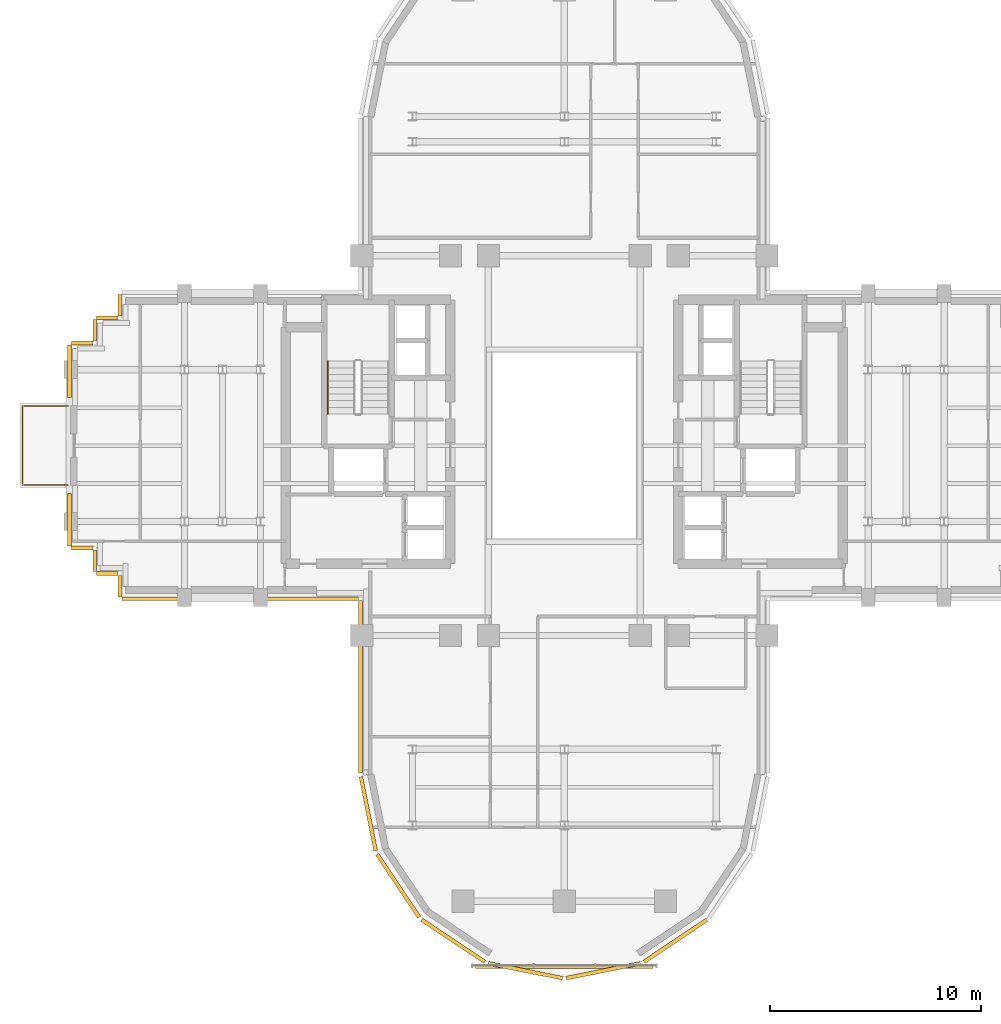
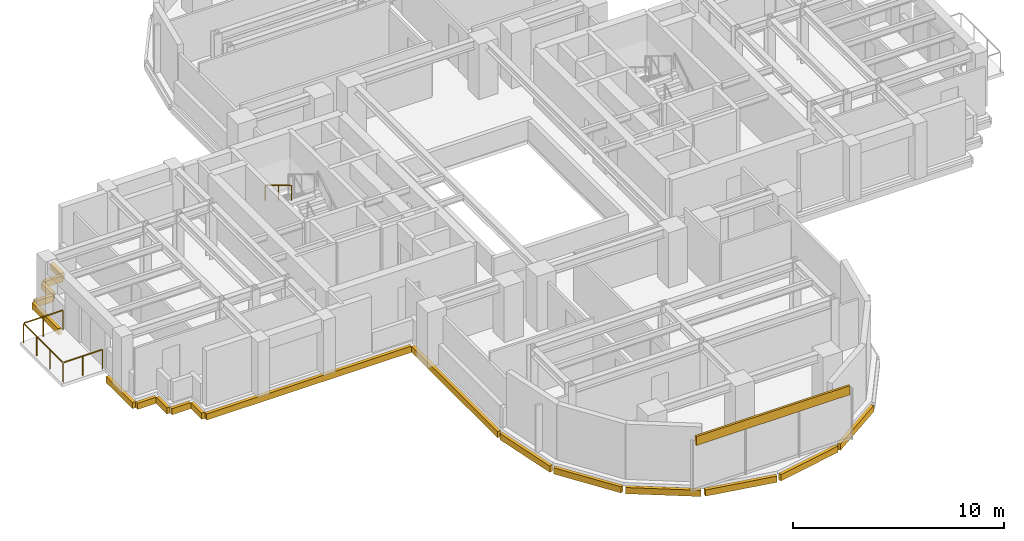
# One storey, part 11 of 13: 19 coverings, 2 railings.
"""IFC4 building model written with IfcOpenShell, lengths in metres."""

from ifc_helpers import new_model, si_unit, direction, frame, origin, origin_2d, place, context, subcontext, project, spatial, rectangle, extrude, source, transform, mapped, material, layer, layer_set, type_object, element, save


model = new_model("IFC4")

# Units and contexts
model_context = context("Model", 3, precision=1e-05, world=origin(), true_north=direction((0.0, 1.0)))
body_context = subcontext(model_context, "Body", "Model", "MODEL_VIEW")
ifc_project = project(units=[si_unit("LENGTHUNIT", "METRE"), si_unit("AREAUNIT", "SQUARE_METRE"), si_unit("VOLUMEUNIT", "CUBIC_METRE"), si_unit("PLANEANGLEUNIT", "RADIAN"), si_unit("MASSUNIT", "GRAM", prefix="KILO")], contexts=[model_context])

# Site, building, storey
site_placement = place(None, origin())
site = spatial("IfcSite", under=ifc_project, at=site_placement, CompositionType="ELEMENT")
building_placement = place(site_placement, origin())
building = spatial("IfcBuilding", under=site, at=building_placement, Name="Keilestroom Media Tower", CompositionType="ELEMENT")
storey_placement = place(building_placement, frame((0.0, 0.0, 107.39990234375)))
storey = spatial("IfcBuildingStorey", under=building, at=storey_placement, Name="L28", CompositionType="ELEMENT", Elevation=107.39990234375)

# Railings
ifc_material_1 = material(Name="Brushed Stainless Steel 1.4301", Category="steel")
railing_type_1 = type_object("IfcRailingType", Name="Stair-Pitch-Handrail-920", PredefinedType="HANDRAIL", material=ifc_material_1)
railing_1_placement = place(storey_placement, frame((-11.2099609375, 3.99609375, 1.888916015625)))
element("IfcRailing", 1, at=railing_1_placement, inside=storey, type_object=railing_type_1, Name="L28 ST-1 stair handrail 2", PredefinedType="HANDRAIL", context=body_context, shape_type="SweptSolid", body=[
    extrude(rectangle(XDim=0.048095703125, YDim=0.048095703125, at=origin_2d()), frame((0.0, 0.0, 0.8759765625), z_axis=(0.0, -0.855433747314, 0.517912255074), x_axis=(1.0, 0.0, 0.0)), (0.0, 0.0, 1.0), 2.91796875),
    extrude(rectangle(XDim=0.0419921875, YDim=0.0419921875, at=origin_2d()), origin(), (0.0, 0.0, 1.0), 0.84375),
    extrude(rectangle(XDim=0.0419921875, YDim=0.0419921875, at=origin_2d()), frame((0.0, -1.248046875, 0.755615234375)), (0.0, 0.0, 1.0), 0.84375),
    extrude(rectangle(XDim=0.0419921875, YDim=0.0419921875, at=origin_2d()), frame((0.0, -2.49609375, 1.51123046875)), (0.0, 0.0, 1.0), 0.84375),
])
ifc_material_2 = material(Name="Laminated Safety Glass & Stainless Steel", Category="steel")
railing_type_2 = type_object("IfcRailingType", Name="Terrace-And-Atrium-Guard-Balustrade-GD-EXT", PredefinedType="BALUSTRADE", material=ifc_material_2)
railing_2_placement = place(storey_placement, frame((-23.52001953125, -1.8798828125, 0.0)))
element("IfcRailing", 2, at=railing_2_placement, inside=storey, type_object=railing_type_2, Name="L28 Terrace Perimeter Guard L28-W", PredefinedType="BALUSTRADE", context=body_context, shape_type="SweptSolid", body=[
    extrude(rectangle(XDim=0.048095703125, YDim=0.048095703125, at=origin_2d()), frame((0.0, 0.0, 1.1259765625), z_axis=(-1.0, 0.0, 0.0), x_axis=(0.0, -1.0, 0.0)), (0.0, 0.0, 1.0), 2.11181640625),
    extrude(rectangle(XDim=0.048095703125, YDim=0.048095703125, at=origin_2d()), frame((-2.159912109375, 0.048095703125, 1.1259765625), z_axis=(0.0, 1.0, 0.0), x_axis=(-1.0, 0.0, 0.0)), (0.0, 0.0, 1.0), 3.66357421875),
    extrude(rectangle(XDim=0.048095703125, YDim=0.048095703125, at=origin_2d()), frame((-2.11181640625, 3.759765625, 1.1259765625), z_axis=(1.0, 0.0, 0.0), x_axis=(0.0, 1.0, 0.0)), (0.0, 0.0, 1.0), 2.11181640625),
    extrude(rectangle(XDim=0.0419921875, YDim=0.0419921875, at=origin_2d()), origin(), (0.0, 0.0, 1.0), 1.09375),
    extrude(rectangle(XDim=0.0419921875, YDim=0.0419921875, at=origin_2d()), frame((-1.080078125, 0.0, 0.0)), (0.0, 0.0, 1.0), 1.09375),
    extrude(rectangle(XDim=0.0419921875, YDim=0.0419921875, at=origin_2d()), frame((-2.159912109375, 0.0, 0.0)), (0.0, 0.0, 1.0), 1.09375),
    extrude(rectangle(XDim=0.0419921875, YDim=0.0419921875, at=origin_2d()), frame((-2.159912109375, 1.253173828125, 0.0)), (0.0, 0.0, 1.0), 1.09375),
    extrude(rectangle(XDim=0.0419921875, YDim=0.0419921875, at=origin_2d()), frame((-2.159912109375, 2.506591796875, 0.0)), (0.0, 0.0, 1.0), 1.09375),
    extrude(rectangle(XDim=0.0419921875, YDim=0.0419921875, at=origin_2d()), frame((-2.159912109375, 3.759765625, 0.0)), (0.0, 0.0, 1.0), 1.09375),
    extrude(rectangle(XDim=0.0419921875, YDim=0.0419921875, at=origin_2d()), frame((-1.080078125, 3.759765625, 0.0)), (0.0, 0.0, 1.0), 1.09375),
    extrude(rectangle(XDim=0.0419921875, YDim=0.0419921875, at=origin_2d()), frame((0.0, 3.759765625, 0.0)), (0.0, 0.0, 1.0), 1.09375),
])

# Coverings
ifc_material_3 = material(Name="Precast concrete C40/50", Category="concrete")
ifc_layer = layer(ifc_material_3, 0.1201171875)
ifc_layer_set = layer_set([ifc_layer], Name="Precast concrete C40/50")
covering_type = type_object("IfcCoveringType", Name="Exterior-Precast-Spandrel-Cladding-Panel-120", PredefinedType="CLADDING", material=ifc_layer_set)
shared_shape_1 = source(origin(), body_context, "Body", "SweptSolid", [
    extrude(rectangle(XDim=8.39990234375, YDim=0.1201171875, at=origin_2d()), origin(), (0.0, 0.0, 1.0), 0.52001953125),
])
covering_1_placement = place(storey_placement, frame((0.0, -24.719970703125, 2.690185546875), z_axis=(0.0, 0.0, 1.0), x_axis=(1.0, 0.0, 0.0)))
element("IfcCovering", 3, at=covering_1_placement, inside=storey, type_object=covering_type, Name="L28 Precast Spandrel Cladding S", PredefinedType="CLADDING", context=body_context, shape_type="MappedRepresentation", body=[
    mapped(shared_shape_1, transform((0.0, 0.0, 0.0), x_axis=(1.0, 0.0, 0.0), y_axis=(0.0, 1.0, 0.0), z_axis=(0.0, 0.0, 1.0), scale=1.0)),
])
shared_shape_2 = source(origin(), body_context, "Body", "SweptSolid", [
    extrude(rectangle(XDim=1.02001953125, YDim=0.179931640625, at=origin_2d()), origin(), (0.0, 0.0, 1.0), 0.360107421875),
])
for number, where, z_axis, x_axis, name in (
    (4, (-21.06005859375, -6.659912109375, -0.5400390625), (0.0, 0.0, 1.0), (0.0, 1.0, 0.0), "L28 Precast Slab-Edge Fascia Cornice 17"),
    (5, (-21.659912109375, -6.06005859375, -0.5400390625), (0.0, 0.0, 1.0), (-1.0, 0.0, 0.0), "L28 Precast Slab-Edge Fascia Cornice 18"),
    (6, (-22.260009765625, -5.4599609375, -0.5400390625), (0.0, 0.0, 1.0), (0.0, 1.0, 0.0), "L28 Precast Slab-Edge Fascia Cornice 19"),
    (7, (-22.860107421875, -4.860107421875, -0.5400390625), (0.0, 0.0, 1.0), (-1.0, 0.0, 0.0), "L28 Precast Slab-Edge Fascia Cornice 20"),
    (8, (-22.860107421875, 4.860107421875, -0.5400390625), (0.0, 0.0, 1.0), (1.0, 0.0, 0.0), "L28 Precast Slab-Edge Fascia Cornice 23"),
    (9, (-22.260009765625, 5.4599609375, -0.5400390625), (0.0, 0.0, 1.0), (0.0, 1.0, 0.0), "L28 Precast Slab-Edge Fascia Cornice 24"),
    (10, (-21.659912109375, 6.06005859375, -0.5400390625), (0.0, 0.0, 1.0), (1.0, 0.0, 0.0), "L28 Precast Slab-Edge Fascia Cornice 25"),
    (11, (-21.06005859375, 6.659912109375, -0.5400390625), (0.0, 0.0, 1.0), (0.0, 1.0, 0.0), "L28 Precast Slab-Edge Fascia Cornice 26"),
):
    element("IfcCovering", number, at=place(storey_placement, frame(where, z_axis=z_axis, x_axis=x_axis)), inside=storey, type_object=covering_type, Name=name, PredefinedType="CLADDING", context=body_context, shape_type="MappedRepresentation", body=[
        mapped(shared_shape_2, transform((0.0, 0.0, 0.0), x_axis=(1.0, 0.0, 0.0), y_axis=(0.0, 1.0, 0.0), z_axis=(0.0, 0.0, 1.0), scale=1.0)),
    ])
shared_shape_3 = source(origin(), body_context, "Body", "SweptSolid", [
    extrude(rectangle(XDim=8.166015625, YDim=0.179931640625, at=origin_2d()), origin(), (0.0, 0.0, 1.0), 0.360107421875),
])
covering_2_placement = place(storey_placement, frame((-9.659912109375, -11.43310546875, -0.5400390625), z_axis=(0.0, 0.0, 1.0), x_axis=(0.0, 1.0, 0.0)))
element("IfcCovering", 12, at=covering_2_placement, inside=storey, type_object=covering_type, Name="L28 Precast Slab-Edge Fascia Cornice 15", PredefinedType="CLADDING", context=body_context, shape_type="MappedRepresentation", body=[
    mapped(shared_shape_3, transform((0.0, 0.0, 0.0), x_axis=(1.0, 0.0, 0.0), y_axis=(0.0, 1.0, 0.0), z_axis=(0.0, 0.0, 1.0), scale=1.0)),
])
shared_shape_4 = source(origin(), body_context, "Body", "SweptSolid", [
    extrude(rectangle(XDim=3.58349609375, YDim=0.179931640625, at=origin_2d()), origin(), (0.0, 0.0, 1.0), 0.360107421875),
])
covering_3_placement = place(storey_placement, frame((-9.29296875, -17.45166015625, -0.5400390625), z_axis=(0.0, 0.0, 1.0), x_axis=(-0.195098880975, 0.980783577882, 0.0)))
element("IfcCovering", 13, at=covering_3_placement, inside=storey, type_object=covering_type, Name="L28 Precast Slab-Edge Fascia Cornice 14", PredefinedType="CLADDING", context=body_context, shape_type="MappedRepresentation", body=[
    mapped(shared_shape_4, transform((0.0, 0.0, 0.0), x_axis=(1.0, 0.0, 0.0), y_axis=(0.0, 1.0, 0.0), z_axis=(0.0, 0.0, 1.0), scale=1.0)),
])
shared_shape_5 = source(origin(), body_context, "Body", "SweptSolid", [
    extrude(rectangle(XDim=3.589599609375, YDim=0.179931640625, at=origin_2d()), origin(), (0.0, 0.0, 1.0), 0.360107421875),
])
for number, where, z_axis, x_axis, name in (
    (14, (5.264404296875, -23.478515625, -0.5400390625), (0.0, 0.0, 1.0), (-0.831466703332, -0.555574586577, 0.0), "L28 Precast Slab-Edge Fascia Cornice 09"),
    (15, (1.8486328125, -24.893310546875, -0.5400390625), (0.0, 0.0, 1.0), (-0.980783577882, -0.195098880975, 0.0), "L28 Precast Slab-Edge Fascia Cornice 10"),
    (16, (-1.8486328125, -24.893310546875, -0.5400390625), (0.0, 0.0, 1.0), (-0.980783577882, 0.195098880975, 0.0), "L28 Precast Slab-Edge Fascia Cornice 11"),
    (17, (-5.264404296875, -23.478515625, -0.5400390625), (0.0, 0.0, 1.0), (-0.831466703332, 0.555574586577, 0.0), "L28 Precast Slab-Edge Fascia Cornice 12"),
    (18, (-7.878662109375, -20.8642578125, -0.5400390625), (0.0, 0.0, 1.0), (-0.555574586577, 0.831466703332, 0.0), "L28 Precast Slab-Edge Fascia Cornice 13"),
):
    element("IfcCovering", number, at=place(storey_placement, frame(where, z_axis=z_axis, x_axis=x_axis)), inside=storey, type_object=covering_type, Name=name, PredefinedType="CLADDING", context=body_context, shape_type="MappedRepresentation", body=[
        mapped(shared_shape_5, transform((0.0, 0.0, 0.0), x_axis=(1.0, 0.0, 0.0), y_axis=(0.0, 1.0, 0.0), z_axis=(0.0, 0.0, 1.0), scale=1.0)),
    ])
shared_shape_6 = source(origin(), body_context, "Body", "SweptSolid", [
    extrude(rectangle(XDim=2.5, YDim=0.179931640625, at=origin_2d()), origin(), (0.0, 0.0, 1.0), 0.360107421875),
])
for number, where, z_axis, x_axis, name in (
    (19, (-23.4599609375, -3.52001953125, -0.5400390625), (0.0, 0.0, 1.0), (0.0, 1.0, 0.0), "L28 Precast Slab-Edge Fascia Cornice 21"),
    (20, (-23.4599609375, 3.52001953125, -0.5400390625), (0.0, 0.0, 1.0), (0.0, 1.0, 0.0), "L28 Precast Slab-Edge Fascia Cornice 22"),
):
    element("IfcCovering", number, at=place(storey_placement, frame(where, z_axis=z_axis, x_axis=x_axis)), inside=storey, type_object=covering_type, Name=name, PredefinedType="CLADDING", context=body_context, shape_type="MappedRepresentation", body=[
        mapped(shared_shape_6, transform((0.0, 0.0, 0.0), x_axis=(1.0, 0.0, 0.0), y_axis=(0.0, 1.0, 0.0), z_axis=(0.0, 0.0, 1.0), scale=1.0)),
    ])
shared_shape_7 = source(origin(), body_context, "Body", "SweptSolid", [
    extrude(rectangle(XDim=11.219970703125, YDim=0.179931640625, at=origin_2d()), origin(), (0.0, 0.0, 1.0), 0.360107421875),
])
covering_4_placement = place(storey_placement, frame((-15.360107421875, -7.260009765625, -0.5400390625), z_axis=(0.0, 0.0, 1.0), x_axis=(-1.0, 0.0, 0.0)))
element("IfcCovering", 21, at=covering_4_placement, inside=storey, type_object=covering_type, Name="L28 Precast Slab-Edge Fascia Cornice 16", PredefinedType="CLADDING", context=body_context, shape_type="MappedRepresentation", body=[
    mapped(shared_shape_7, transform((0.0, 0.0, 0.0), x_axis=(1.0, 0.0, 0.0), y_axis=(0.0, 1.0, 0.0), z_axis=(0.0, 0.0, 1.0), scale=1.0)),
])

save(model, "model.ifc")
